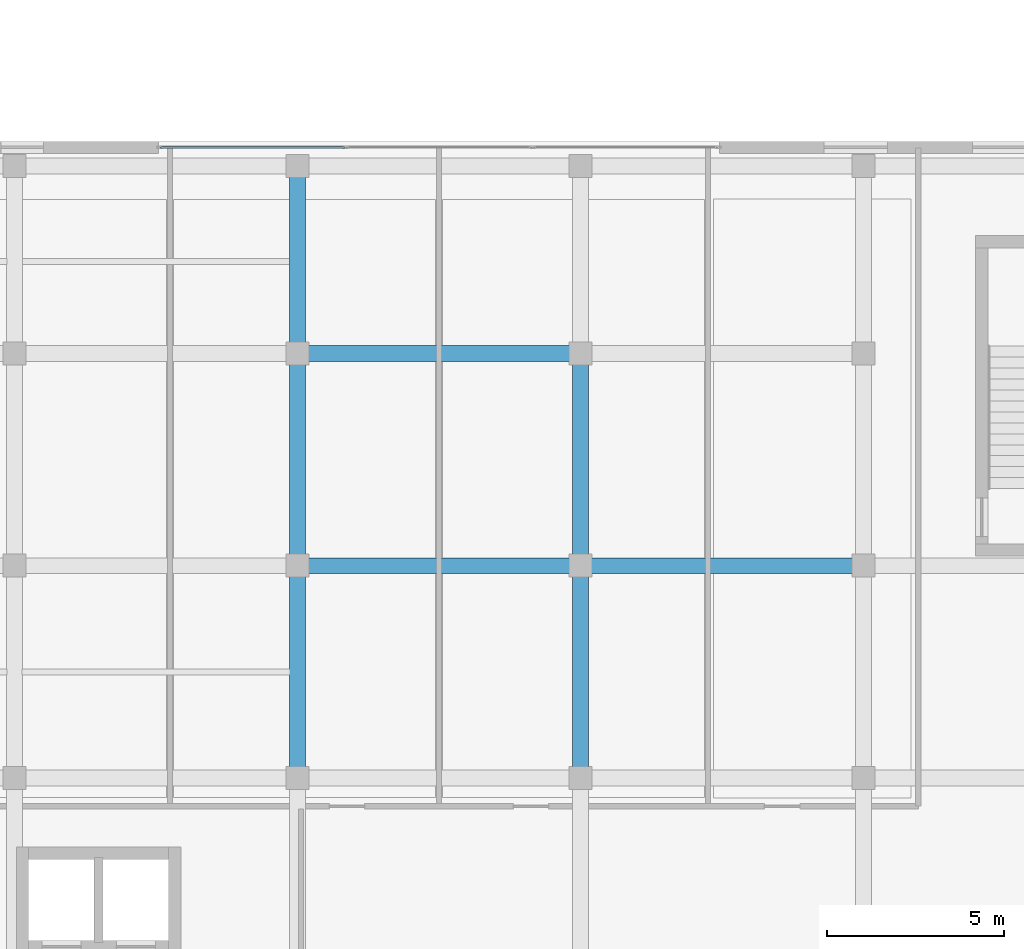
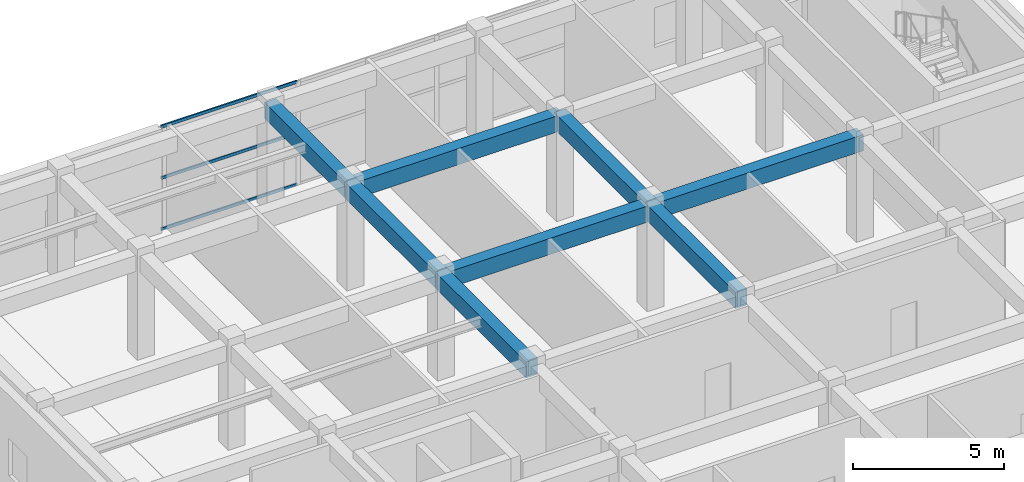
# One storey, part 14 of 28: 8 beams, 3 members, 1 element without a shape of its own.
"""IFC4 building model written with IfcOpenShell, lengths in metres."""

from ifc_helpers import new_model, si_unit, direction, frame, origin, origin_2d, place, context, subcontext, project, spatial, rectangle, hollow_rectangle, extrude, source, transform, mapped, material, layer, layer_set, material_profile, profile_set, type_object, element, aggregate, save


model = new_model("IFC4")

# Units and contexts
model_context = context("Model", 3, precision=1e-05, world=origin(), true_north=direction((0.0, 1.0)))
body_context = subcontext(model_context, "Body", "Model", "MODEL_VIEW")
ifc_project = project(units=[si_unit("LENGTHUNIT", "METRE"), si_unit("AREAUNIT", "SQUARE_METRE"), si_unit("VOLUMEUNIT", "CUBIC_METRE"), si_unit("PLANEANGLEUNIT", "RADIAN"), si_unit("MASSUNIT", "GRAM", prefix="KILO")], contexts=[model_context])

# Site, building, storey
site_placement = place(None, origin())
site = spatial("IfcSite", under=ifc_project, at=site_placement, CompositionType="ELEMENT")
building_placement = place(site_placement, origin())
building = spatial("IfcBuilding", under=site, at=building_placement, Name="Khoralis Quay Care Tower", CompositionType="ELEMENT")
storey_placement = place(building_placement, frame((0.0, 0.0, 9.0)))
storey = spatial("IfcBuildingStorey", under=building, at=storey_placement, Name="L02", CompositionType="ELEMENT", Elevation=9.0)

# Beams
ifc_material_1 = material(Name="Concrete C40/50", Category="concrete")
ifc_material_profile_1 = material_profile(ifc_material_1, rectangle(XDim=0.449951171875, YDim=0.64990234375, at=origin_2d()), Name="Concrete C40/50")
ifc_profile_set_1 = profile_set([ifc_material_profile_1], Name="Concrete C40/50")
beam_type = type_object("IfcBeamType", Name="BM-RC450X650", PredefinedType="BEAM", material=ifc_profile_set_1)
shared_shape_1 = source(origin(), body_context, "Body", "SweptSolid", [
    extrude(rectangle(XDim=0.449951171875, YDim=0.64990234375, at=origin_2d()), origin(), (0.0, 0.0, 1.0), 8.0),
])
for number, where, z_axis, x_axis, name in (
    (1, (84.0, 30.0, 3.875), (1.0, 0.0, 0.0), (0.0, 1.0, 0.0), "BM-SCX-L02-21"),
    (2, (92.0, 30.0, 3.875), (1.0, 0.0, 0.0), (0.0, 1.0, 0.0), "BM-SCX-L02-22"),
    (3, (84.0, 36.0, 3.875), (1.0, 0.0, 0.0), (0.0, 1.0, 0.0), "BM-SCX-L02-26"),
):
    element("IfcBeam", number, at=place(storey_placement, frame(where, z_axis=z_axis, x_axis=x_axis)), inside=storey, type_object=beam_type, Name=name, PredefinedType="BEAM", context=body_context, shape_type="MappedRepresentation", body=[
        mapped(shared_shape_1, transform((0.0, 0.0, 0.0), scale=1.0)),
    ])
shared_shape_2 = source(origin(), body_context, "Body", "SweptSolid", [
    extrude(rectangle(XDim=0.449951171875, YDim=0.64990234375, at=origin_2d()), origin(), (0.0, 0.0, 1.0), 5.300048828125),
])
beam_placement = place(storey_placement, frame((84.0, 36.0, 3.875), z_axis=(0.0, 1.0, 0.0), x_axis=(-1.0, 0.0, 0.0)))
element("IfcBeam", 4, at=beam_placement, inside=storey, type_object=beam_type, Name="BM-SCY-L02-50", PredefinedType="BEAM", context=body_context, shape_type="MappedRepresentation", body=[
    mapped(shared_shape_2, transform((0.0, 0.0, 0.0), scale=1.0)),
])
shared_shape_3 = source(origin(), body_context, "Body", "SweptSolid", [
    extrude(rectangle(XDim=0.449951171875, YDim=0.64990234375, at=origin_2d()), origin(), (0.0, 0.0, 1.0), 6.0),
])
for number, where, z_axis, x_axis, name in (
    (5, (84.0, 24.0, 3.875), (0.0, 1.0, 0.0), (-1.0, 0.0, 0.0), "BM-SCY-L02-48"),
    (6, (84.0, 30.0, 3.875), (0.0, 1.0, 0.0), (-1.0, 0.0, 0.0), "BM-SCY-L02-49"),
    (7, (92.0, 24.0, 3.875), (0.0, 1.0, 0.0), (-1.0, 0.0, 0.0), "BM-SCY-L02-54"),
    (8, (92.0, 30.0, 3.875), (0.0, 1.0, 0.0), (-1.0, 0.0, 0.0), "BM-SCY-L02-55"),
):
    element("IfcBeam", number, at=place(storey_placement, frame(where, z_axis=z_axis, x_axis=x_axis)), inside=storey, type_object=beam_type, Name=name, PredefinedType="BEAM", context=body_context, shape_type="MappedRepresentation", body=[
        mapped(shared_shape_3, transform((0.0, 0.0, 0.0), scale=1.0)),
    ])

# Curtain wall, members
ifc_material_2 = material(Name="Pale anodised aluminium", Category="aluminium")
ifc_layer = layer(ifc_material_2, 0.14990234375)
ifc_layer_set = layer_set([ifc_layer], Name="Pale anodised aluminium")
curtain_wall_type = type_object("IfcCurtainWallType", Name="CW-SYS-SCHOOL", PredefinedType="NOTDEFINED", material=ifc_layer_set)
curtain_wall_placement = place(storey_placement, origin())
curtain_wall = element("IfcCurtainWall", 9, at=curtain_wall_placement, inside=storey, type_object=curtain_wall_type, Name="L02 Unitised Curtain Wall CW-SCH-L02-E3", PredefinedType="NOTDEFINED")
ifc_material_profile_2 = material_profile(ifc_material_2, hollow_rectangle(XDim=0.054931640625, YDim=0.1201171875, WallThickness=0.00390625, at=origin_2d()), Name="Pale anodised aluminium")
ifc_profile_set_2 = profile_set([ifc_material_profile_2], Name="Pale anodised aluminium")
member_type = type_object("IfcMemberType", Name="CW-TRN-120", PredefinedType="USERDEFINED", material=ifc_profile_set_2)
shared_shape_4 = source(origin(), body_context, "Body", "SweptSolid", [
    extrude(hollow_rectangle(XDim=0.054931640625, YDim=0.1201171875, WallThickness=0.00390625, at=origin_2d()), origin(), (0.0, 0.0, 1.0), 5.197998046875),
])
member_1_placement = place(storey_placement, frame((85.325927734375, 41.830078125, 0.030029296875), z_axis=(-1.0, 0.0, 0.0), x_axis=(0.0, -1.0, 0.0)))
member_1 = element("IfcMember", 10, at=member_1_placement, type_object=member_type, Name="CW6 transom 3.1", ObjectType="TRANSOM", PredefinedType="USERDEFINED", context=body_context, shape_type="MappedRepresentation", body=[
    mapped(shared_shape_4, transform((0.0, 0.0, 0.0), scale=1.0)),
])
member_2_placement = place(storey_placement, frame((85.325927734375, 41.830078125, 2.10009765625), z_axis=(-1.0, 0.0, 0.0), x_axis=(0.0, -1.0, 0.0)))
member_2 = element("IfcMember", 11, at=member_2_placement, type_object=member_type, Name="CW6 transom 3.2", ObjectType="TRANSOM", PredefinedType="USERDEFINED", context=body_context, shape_type="MappedRepresentation", body=[
    mapped(shared_shape_4, transform((0.0, 0.0, 0.0), scale=1.0)),
])
member_3_placement = place(storey_placement, frame((85.325927734375, 41.830078125, 4.169921875), z_axis=(-1.0, 0.0, 0.0), x_axis=(0.0, -1.0, 0.0)))
member_3 = element("IfcMember", 12, at=member_3_placement, type_object=member_type, Name="CW6 transom 3.3", ObjectType="TRANSOM", PredefinedType="USERDEFINED", context=body_context, shape_type="MappedRepresentation", body=[
    mapped(shared_shape_4, transform((0.0, 0.0, 0.0), scale=1.0)),
])
aggregate(curtain_wall, [member_1, member_2, member_3])

save(model, "model.ifc")
